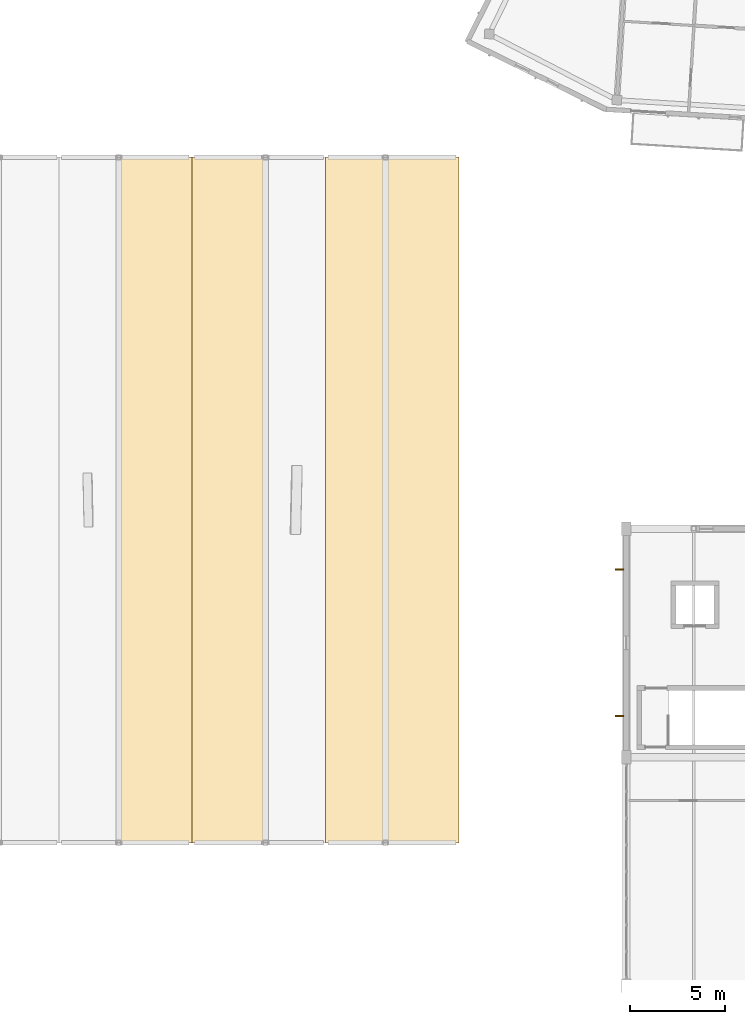
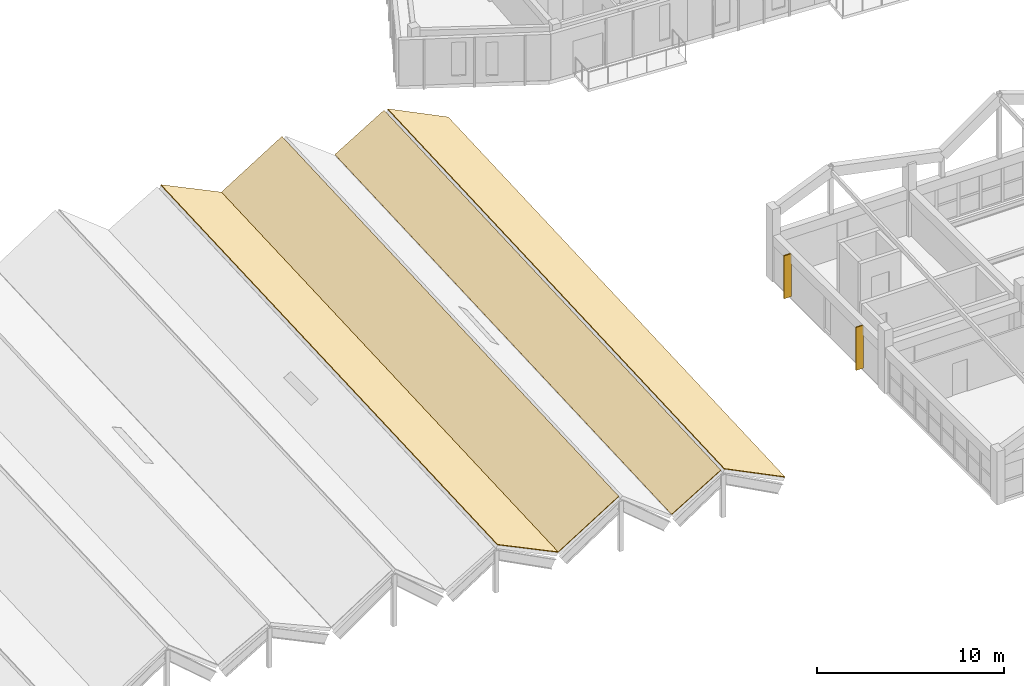
# One storey, part 96 of 127: 4 coverings, 2 shading devices.
"""IFC4 building model written with IfcOpenShell, lengths in metres."""

from ifc_helpers import new_model, si_unit, direction, frame, origin, origin_2d, place, context, subcontext, project, spatial, polyline, rectangle, outline, extrude, material, layer, layer_set, type_object, element, save


model = new_model("IFC4")

# Units and contexts
model_context = context("Model", 3, precision=1e-05, world=origin(), true_north=direction((0.0, 1.0)))
body_context = subcontext(model_context, "Body", "Model", "MODEL_VIEW")
ifc_project = project(units=[si_unit("LENGTHUNIT", "METRE"), si_unit("AREAUNIT", "SQUARE_METRE"), si_unit("VOLUMEUNIT", "CUBIC_METRE"), si_unit("PLANEANGLEUNIT", "RADIAN"), si_unit("MASSUNIT", "GRAM", prefix="KILO")], contexts=[model_context])

# Site, building, storey
site_placement = place(None, origin())
site = spatial("IfcSite", under=ifc_project, at=site_placement, CompositionType="ELEMENT")
building_placement = place(site_placement, origin())
building = spatial("IfcBuilding", under=site, at=building_placement, Name="Kestramere Prow Commons", CompositionType="ELEMENT")
storey_placement = place(building_placement, frame((0.0, 0.0, 8.39990234375)))
storey = spatial("IfcBuildingStorey", under=building, at=storey_placement, Name="L02", CompositionType="ELEMENT", Elevation=8.39990234375)

# Coverings
ifc_material_1 = material(Name="Fluoropolymer Standing-Seam Zinc-Aluminium Roofing", Category="aluminium")
ifc_layer_1 = layer(ifc_material_1, 0.044921875)
ifc_layer_set_1 = layer_set([ifc_layer_1], Name="Fluoropolymer Standing-Seam Zinc-Aluminium Roofing")
covering_type = type_object("IfcCoveringType", Name="COV-ROOF-SEAM", PredefinedType="ROOFING", material=ifc_layer_set_1)
covering_1_placement = place(storey_placement, frame((33.465087890625, 7.5, 1.889892578125), z_axis=(0.432743134874, -0.041273771871, 0.90057195991), x_axis=(0.901340014432, 0.0, -0.433112200686)))
element("IfcCovering", 1, at=covering_1_placement, inside=storey, type_object=covering_type, Name="Standing-Seam Roofing SL-HL-PLEAT-4-R", PredefinedType="ROOFING", context=body_context, shape_type="SweptSolid", body=[
    extrude(outline(polyline([(0.0, 0.0), (4.143678546882094, -1.3877787807814457e-17), (3.429085711863729, 36.0307026690301), (-0.7145928350183646, 36.0307026690301), (0.0, 0.0)])), origin(), (0.0, 0.0, -1.0), 0.044921875),
])
covering_2_placement = place(storey_placement, frame((37.199951171875, 7.5, 0.09521484375), z_axis=(-0.528586696348, -0.038866741275, 0.84798908063), x_axis=(0.848630322163, -9.14114e-07, 0.528986366842)))
element("IfcCovering", 2, at=covering_2_placement, inside=storey, type_object=covering_type, Name="Standing-Seam Roofing SL-HL-PLEAT-5-L", PredefinedType="ROOFING", context=body_context, shape_type="SweptSolid", body=[
    extrude(outline(polyline([(0.0, 0.0), (4.401271800043199, 0.0), (5.274143885473835, 36.02722689483131), (0.8727429383684187, 36.027218842102215), (0.0, 0.0)])), origin(), (0.0, 0.0, -1.0), 0.044921875),
])
covering_3_placement = place(storey_placement, frame((44.199951171875, 7.5, 0.09521484375), z_axis=(-0.516062235057, -0.039215105078, 0.855652934946), x_axis=(0.856311616755, 0.0, 0.516459499874)))
element("IfcCovering", 3, at=covering_3_placement, inside=storey, type_object=covering_type, Name="Standing-Seam Roofing SL-HL-PLEAT-6-L", PredefinedType="ROOFING", context=body_context, shape_type="SweptSolid", body=[
    extrude(outline(polyline([(0.0, 0.0), (3.5444529662001587, 0.0), (4.396560705493922, 36.02771280756728), (0.8521077392937629, 36.02771280756728), (0.0, 0.0)])), origin(), (0.0, 0.0, -1.0), 0.044921875),
])
covering_4_placement = place(storey_placement, frame((47.465087890625, 7.5, 1.938232421875), z_axis=(0.442168137641, -0.041066886783, 0.895991545086), x_axis=(0.896748061732, 1.078468e-06, -0.442541426059)))
element("IfcCovering", 4, at=covering_4_placement, inside=storey, type_object=covering_type, Name="Standing-Seam Roofing SL-HL-PLEAT-6-R", PredefinedType="ROOFING", context=body_context, shape_type="SweptSolid", body=[
    extrude(outline(polyline([(0.0, 0.0), (4.16484303557104, 0.0), (3.434731724343365, 36.03039154942902), (-0.7302193535680214, 36.03040054042707), (0.0, 0.0)])), origin(), (0.0, 0.0, -1.0), 0.044921875),
])

# Shading devices
ifc_material_2 = material(Name="Weathered Bronze-Anodised Aluminium", Category="aluminium")
ifc_layer_2 = layer(ifc_material_2, 0.074951171875)
ifc_layer_set_2 = layer_set([ifc_layer_2], Name="Weathered Bronze-Anodised Aluminium")
shading_device_type = type_object("IfcShadingDeviceType", Name="SHD-VFIN-450", PredefinedType="USERDEFINED", material=ifc_layer_set_2)
for number, where, z_axis, x_axis, name in (
    (5, (59.635009765625, 14.14990234375, 0.14990234375), (0.0, 0.0, 1.0), (1.0, 0.0, 0.0), "Market L02 W Vertical Fin 2-1"),
    (6, (59.635009765625, 21.85009765625, 0.14990234375), (0.0, 0.0, 1.0), (1.0, 0.0, 0.0), "Market L02 W Vertical Fin 2-2"),
):
    element("IfcShadingDevice", number, at=place(storey_placement, frame(where, z_axis=z_axis, x_axis=x_axis)), inside=storey, type_object=shading_device_type, Name=name, ObjectType="VERTICAL FIN", PredefinedType="USERDEFINED", context=body_context, shape_type="SweptSolid", body=[
        extrude(rectangle(XDim=0.449951171875, YDim=0.074951171875, at=origin_2d()), origin(), (0.0, 0.0, 1.0), 2.800048828125),
    ])

save(model, "model.ifc")
